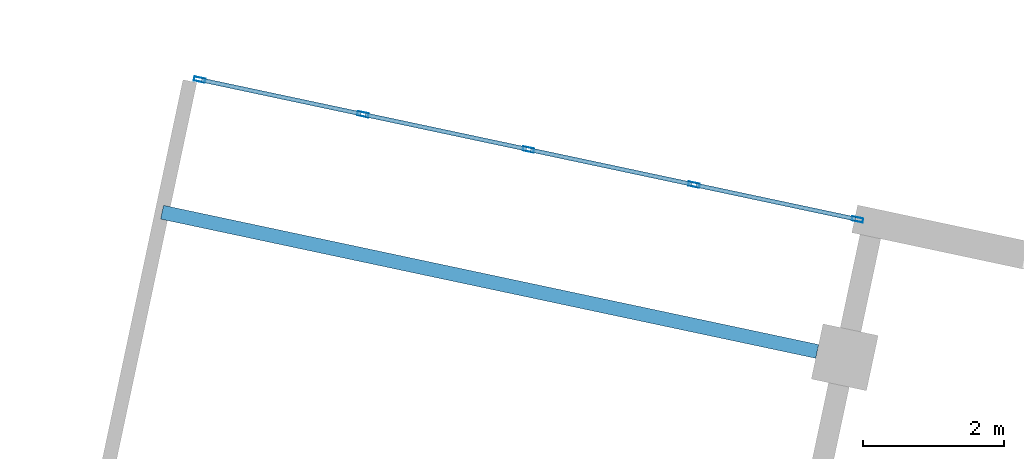
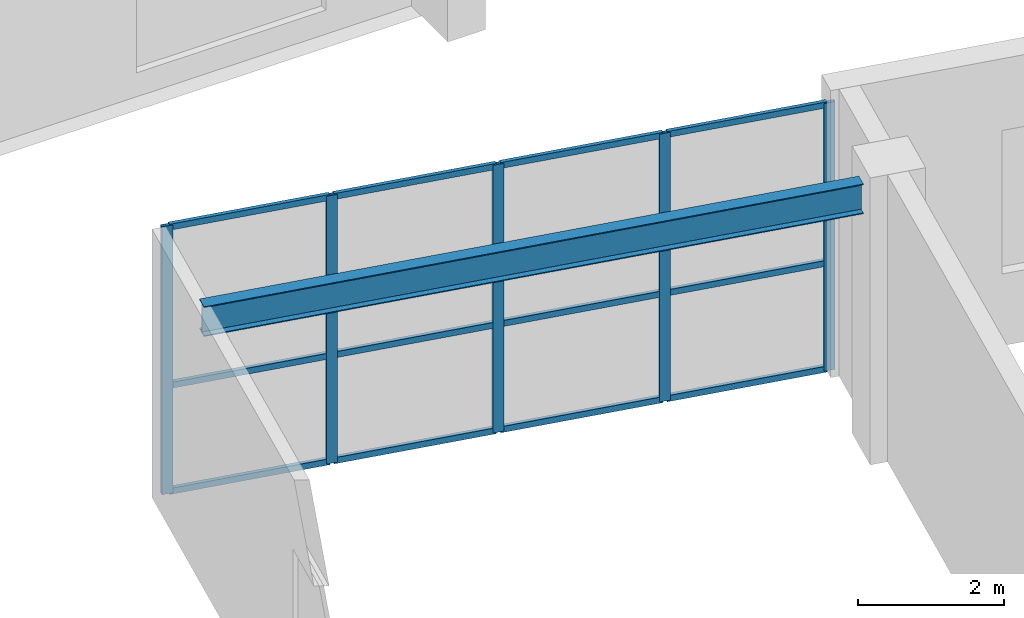
# One storey, part 68 of 182: 17 members, 1 beam, 1 element without a shape of its own.
"""IFC4 building model written with IfcOpenShell, lengths in metres."""

from ifc_helpers import new_model, si_unit, direction, frame, origin, origin_2d, place, context, subcontext, project, spatial, hollow_rectangle, i_section, extrude, material, material_profile, profile_set, type_object, element, aggregate, save


model = new_model("IFC4")

# Units and contexts
model_context = context("Model", 3, precision=1e-05, world=origin(), true_north=direction((0.0, 1.0)))
body_context = subcontext(model_context, "Body", "Model", "MODEL_VIEW")
ifc_project = project(units=[si_unit("LENGTHUNIT", "METRE"), si_unit("AREAUNIT", "SQUARE_METRE"), si_unit("VOLUMEUNIT", "CUBIC_METRE"), si_unit("PLANEANGLEUNIT", "RADIAN"), si_unit("MASSUNIT", "GRAM", prefix="KILO")], contexts=[model_context])

# Site, building, storey
site_placement = place(None, origin())
site = spatial("IfcSite", under=ifc_project, at=site_placement, CompositionType="ELEMENT")
building_placement = place(site_placement, origin())
building = spatial("IfcBuilding", under=site, at=building_placement, Name="Okhra Congress Centre", CompositionType="ELEMENT")
storey_placement = place(building_placement, frame((0.0, 0.0, 7.199951171875)))
storey = spatial("IfcBuildingStorey", under=building, at=storey_placement, Name="L01", CompositionType="ELEMENT", Elevation=7.199951171875)

# Curtain wall, members
ifc_material_1 = material(Name="Aluminium curtain wall, triple glazing", Category="aluminium")
curtain_wall_type = type_object("IfcCurtainWallType", Name="Curtain wall 2400 module", PredefinedType="NOTDEFINED", material=ifc_material_1)
curtain_wall_placement = place(storey_placement, origin())
curtain_wall = element("IfcCurtainWall", 1, at=curtain_wall_placement, inside=storey, type_object=curtain_wall_type, Name="Foyer north upper glazing", PredefinedType="NOTDEFINED")
ifc_material_2 = material(Name="Aluminium alloy EN AW-6063 T66", Category="aluminium")
ifc_material_profile_1 = material_profile(ifc_material_2, hollow_rectangle(XDim=0.06005859375, YDim=0.159912109375, WallThickness=0.00390625, at=origin_2d()), Name="RHS 60x160x4")
ifc_profile_set_1 = profile_set([ifc_material_profile_1], Name="Aluminium alloy EN AW-6063 T66")
member_type_1 = type_object("IfcMemberType", Name="Curtain wall mullion 60x160", PredefinedType="MULLION", material=ifc_profile_set_1)
member_1_placement = place(storey_placement, frame((199.634765625, 141.18408203125, 0.0), z_axis=(0.0, 0.0, 1.0), x_axis=(0.207911690818, 0.978147600734, 0.0)))
member_1 = element("IfcMember", 2, at=member_1_placement, type_object=member_type_1, Name="CW6 mullion 1", PredefinedType="MULLION", context=body_context, shape_type="SweptSolid", body=[
    extrude(hollow_rectangle(XDim=0.06005859375, YDim=0.159912109375, WallThickness=0.00390625, at=origin_2d()), origin(), (0.0, 0.0, 1.0), 4.47998046875),
])
member_2_placement = place(storey_placement, frame((201.953125, 140.69140625, 0.0), z_axis=(0.0, 0.0, 1.0), x_axis=(0.207911690818, 0.978147600734, 0.0)))
member_2 = element("IfcMember", 3, at=member_2_placement, type_object=member_type_1, Name="CW6 mullion 2", PredefinedType="MULLION", context=body_context, shape_type="SweptSolid", body=[
    extrude(hollow_rectangle(XDim=0.06005859375, YDim=0.159912109375, WallThickness=0.00390625, at=origin_2d()), origin(), (0.0, 0.0, 1.0), 4.47998046875),
])
member_3_placement = place(storey_placement, frame((204.300537109375, 140.1923828125, 0.0), z_axis=(0.0, 0.0, 1.0), x_axis=(0.207911690818, 0.978147600734, 0.0)))
member_3 = element("IfcMember", 4, at=member_3_placement, type_object=member_type_1, Name="CW6 mullion 3", PredefinedType="MULLION", context=body_context, shape_type="SweptSolid", body=[
    extrude(hollow_rectangle(XDim=0.06005859375, YDim=0.159912109375, WallThickness=0.00390625, at=origin_2d()), origin(), (0.0, 0.0, 1.0), 4.47998046875),
])
member_4_placement = place(storey_placement, frame((206.648193359375, 139.693359375, 0.0), z_axis=(0.0, 0.0, 1.0), x_axis=(0.207911690818, 0.978147600734, 0.0)))
member_4 = element("IfcMember", 5, at=member_4_placement, type_object=member_type_1, Name="CW6 mullion 4", PredefinedType="MULLION", context=body_context, shape_type="SweptSolid", body=[
    extrude(hollow_rectangle(XDim=0.06005859375, YDim=0.159912109375, WallThickness=0.00390625, at=origin_2d()), origin(), (0.0, 0.0, 1.0), 4.47998046875),
])
member_5_placement = place(storey_placement, frame((208.96630859375, 139.20068359375, 0.0), z_axis=(0.0, 0.0, 1.0), x_axis=(0.207911690818, 0.978147600734, 0.0)))
member_5 = element("IfcMember", 6, at=member_5_placement, type_object=member_type_1, Name="CW6 mullion 5", PredefinedType="MULLION", context=body_context, shape_type="SweptSolid", body=[
    extrude(hollow_rectangle(XDim=0.06005859375, YDim=0.159912109375, WallThickness=0.00390625, at=origin_2d()), origin(), (0.0, 0.0, 1.0), 4.47998046875),
])
ifc_material_profile_2 = material_profile(ifc_material_2, hollow_rectangle(XDim=0.06005859375, YDim=0.10009765625, WallThickness=0.00390625, at=origin_2d()), Name="RHS 60x100x4")
ifc_profile_set_2 = profile_set([ifc_material_profile_2], Name="Aluminium alloy EN AW-6063 T66")
member_type_2 = type_object("IfcMemberType", Name="Curtain wall transom 60x100", PredefinedType="USERDEFINED", material=ifc_profile_set_2)
member_6_placement = place(storey_placement, frame((199.664306640625, 141.177978515625, 0.030029296875), z_axis=(0.978152135226, -0.207890356563, 0.0), x_axis=(0.207890356563, 0.978152135226, 0.0)))
member_6 = element("IfcMember", 7, at=member_6_placement, type_object=member_type_2, Name="CW6 transom 1.1", ObjectType="TRANSOM", PredefinedType="USERDEFINED", context=body_context, shape_type="SweptSolid", body=[
    extrude(hollow_rectangle(XDim=0.06005859375, YDim=0.10009765625, WallThickness=0.00390625, at=origin_2d()), origin(), (0.0, 0.0, 1.0), 2.31005859375),
])
member_7_placement = place(storey_placement, frame((199.664306640625, 141.177978515625, 1.800048828125), z_axis=(0.978152135226, -0.207890356563, 0.0), x_axis=(0.207890356563, 0.978152135226, 0.0)))
member_7 = element("IfcMember", 8, at=member_7_placement, type_object=member_type_2, Name="CW6 transom 1.2", ObjectType="TRANSOM", PredefinedType="USERDEFINED", context=body_context, shape_type="SweptSolid", body=[
    extrude(hollow_rectangle(XDim=0.06005859375, YDim=0.10009765625, WallThickness=0.00390625, at=origin_2d()), origin(), (0.0, 0.0, 1.0), 2.31005859375),
])
member_8_placement = place(storey_placement, frame((199.664306640625, 141.177978515625, 4.449951171875), z_axis=(0.978152135226, -0.207890356563, 0.0), x_axis=(0.207890356563, 0.978152135226, 0.0)))
member_8 = element("IfcMember", 9, at=member_8_placement, type_object=member_type_2, Name="CW6 transom 1.3", ObjectType="TRANSOM", PredefinedType="USERDEFINED", context=body_context, shape_type="SweptSolid", body=[
    extrude(hollow_rectangle(XDim=0.06005859375, YDim=0.10009765625, WallThickness=0.00390625, at=origin_2d()), origin(), (0.0, 0.0, 1.0), 2.31005859375),
])
member_9_placement = place(storey_placement, frame((201.982421875, 140.685302734375, 0.030029296875), z_axis=(0.978141611751, -0.20793986477, 0.0), x_axis=(0.20793986477, 0.978141611751, 0.0)))
member_9 = element("IfcMember", 10, at=member_9_placement, type_object=member_type_2, Name="CW6 transom 2.1", ObjectType="TRANSOM", PredefinedType="USERDEFINED", context=body_context, shape_type="SweptSolid", body=[
    extrude(hollow_rectangle(XDim=0.06005859375, YDim=0.10009765625, WallThickness=0.00390625, at=origin_2d()), origin(), (0.0, 0.0, 1.0), 2.340087890625),
])
member_10_placement = place(storey_placement, frame((201.982421875, 140.685302734375, 1.800048828125), z_axis=(0.978141611751, -0.20793986477, 0.0), x_axis=(0.20793986477, 0.978141611751, 0.0)))
member_10 = element("IfcMember", 11, at=member_10_placement, type_object=member_type_2, Name="CW6 transom 2.2", ObjectType="TRANSOM", PredefinedType="USERDEFINED", context=body_context, shape_type="SweptSolid", body=[
    extrude(hollow_rectangle(XDim=0.06005859375, YDim=0.10009765625, WallThickness=0.00390625, at=origin_2d()), origin(), (0.0, 0.0, 1.0), 2.340087890625),
])
member_11_placement = place(storey_placement, frame((201.982421875, 140.685302734375, 4.449951171875), z_axis=(0.978141611751, -0.20793986477, 0.0), x_axis=(0.20793986477, 0.978141611751, 0.0)))
member_11 = element("IfcMember", 12, at=member_11_placement, type_object=member_type_2, Name="CW6 transom 2.3", ObjectType="TRANSOM", PredefinedType="USERDEFINED", context=body_context, shape_type="SweptSolid", body=[
    extrude(hollow_rectangle(XDim=0.06005859375, YDim=0.10009765625, WallThickness=0.00390625, at=origin_2d()), origin(), (0.0, 0.0, 1.0), 2.340087890625),
])
member_12_placement = place(storey_placement, frame((204.330078125, 140.186279296875, 0.030029296875), z_axis=(0.978141611751, -0.20793986477, 0.0), x_axis=(0.20793986477, 0.978141611751, 0.0)))
member_12 = element("IfcMember", 13, at=member_12_placement, type_object=member_type_2, Name="CW6 transom 3.1", ObjectType="TRANSOM", PredefinedType="USERDEFINED", context=body_context, shape_type="SweptSolid", body=[
    extrude(hollow_rectangle(XDim=0.06005859375, YDim=0.10009765625, WallThickness=0.00390625, at=origin_2d()), origin(), (0.0, 0.0, 1.0), 2.340087890625),
])
member_13_placement = place(storey_placement, frame((204.330078125, 140.186279296875, 1.800048828125), z_axis=(0.978141611751, -0.20793986477, 0.0), x_axis=(0.20793986477, 0.978141611751, 0.0)))
member_13 = element("IfcMember", 14, at=member_13_placement, type_object=member_type_2, Name="CW6 transom 3.2", ObjectType="TRANSOM", PredefinedType="USERDEFINED", context=body_context, shape_type="SweptSolid", body=[
    extrude(hollow_rectangle(XDim=0.06005859375, YDim=0.10009765625, WallThickness=0.00390625, at=origin_2d()), origin(), (0.0, 0.0, 1.0), 2.340087890625),
])
member_14_placement = place(storey_placement, frame((204.330078125, 140.186279296875, 4.449951171875), z_axis=(0.978141611751, -0.20793986477, 0.0), x_axis=(0.20793986477, 0.978141611751, 0.0)))
member_14 = element("IfcMember", 15, at=member_14_placement, type_object=member_type_2, Name="CW6 transom 3.3", ObjectType="TRANSOM", PredefinedType="USERDEFINED", context=body_context, shape_type="SweptSolid", body=[
    extrude(hollow_rectangle(XDim=0.06005859375, YDim=0.10009765625, WallThickness=0.00390625, at=origin_2d()), origin(), (0.0, 0.0, 1.0), 2.340087890625),
])
member_15_placement = place(storey_placement, frame((206.677490234375, 139.687255859375, 0.030029296875), z_axis=(0.978152135226, -0.207890356563, 0.0), x_axis=(0.207890356563, 0.978152135226, 0.0)))
member_15 = element("IfcMember", 16, at=member_15_placement, type_object=member_type_2, Name="CW6 transom 4.1", ObjectType="TRANSOM", PredefinedType="USERDEFINED", context=body_context, shape_type="SweptSolid", body=[
    extrude(hollow_rectangle(XDim=0.06005859375, YDim=0.10009765625, WallThickness=0.00390625, at=origin_2d()), origin(), (0.0, 0.0, 1.0), 2.31005859375),
])
member_16_placement = place(storey_placement, frame((206.677490234375, 139.687255859375, 1.800048828125), z_axis=(0.978152135226, -0.207890356563, 0.0), x_axis=(0.207890356563, 0.978152135226, 0.0)))
member_16 = element("IfcMember", 17, at=member_16_placement, type_object=member_type_2, Name="CW6 transom 4.2", ObjectType="TRANSOM", PredefinedType="USERDEFINED", context=body_context, shape_type="SweptSolid", body=[
    extrude(hollow_rectangle(XDim=0.06005859375, YDim=0.10009765625, WallThickness=0.00390625, at=origin_2d()), origin(), (0.0, 0.0, 1.0), 2.31005859375),
])
member_17_placement = place(storey_placement, frame((206.677490234375, 139.687255859375, 4.449951171875), z_axis=(0.978152135226, -0.207890356563, 0.0), x_axis=(0.207890356563, 0.978152135226, 0.0)))
member_17 = element("IfcMember", 18, at=member_17_placement, type_object=member_type_2, Name="CW6 transom 4.3", ObjectType="TRANSOM", PredefinedType="USERDEFINED", context=body_context, shape_type="SweptSolid", body=[
    extrude(hollow_rectangle(XDim=0.06005859375, YDim=0.10009765625, WallThickness=0.00390625, at=origin_2d()), origin(), (0.0, 0.0, 1.0), 2.31005859375),
])
aggregate(curtain_wall, [member_1, member_2, member_3, member_4, member_5, member_6, member_7, member_8, member_9, member_10, member_11, member_12, member_13, member_14, member_15, member_16, member_17])

# Beam
ifc_material_3 = material(Name="Steel S355J2", Category="steel")
ifc_material_profile_3 = material_profile(ifc_material_3, i_section(OverallWidth=0.199951171875, OverallDepth=0.5, WebThickness=0.01025390625, FlangeThickness=0.01611328125, at=origin_2d()), Name="IPE 500")
ifc_profile_set_3 = profile_set([ifc_material_profile_3], Name="Steel S355J2")
beam_type = type_object("IfcBeamType", Name="Steel foyer roof beam IPE 500", PredefinedType="BEAM", material=ifc_profile_set_3)
beam_placement = place(storey_placement, frame((199.102294921875, 139.3037109375, 4.25), z_axis=(0.978149314154, -0.207903629644, 0.0), x_axis=(0.207903629644, 0.978149314154, 0.0)))
element("IfcBeam", 19, at=beam_placement, inside=storey, type_object=beam_type, Name="Foyer roof beam 6", PredefinedType="BEAM", context=body_context, shape_type="SweptSolid", body=[
    extrude(i_section(OverallWidth=0.199951171875, OverallDepth=0.5, WebThickness=0.01025390625, FlangeThickness=0.01611328125, at=origin_2d()), origin(), (0.0, 0.0, 1.0), 9.5),
])

save(model, "model.ifc")
